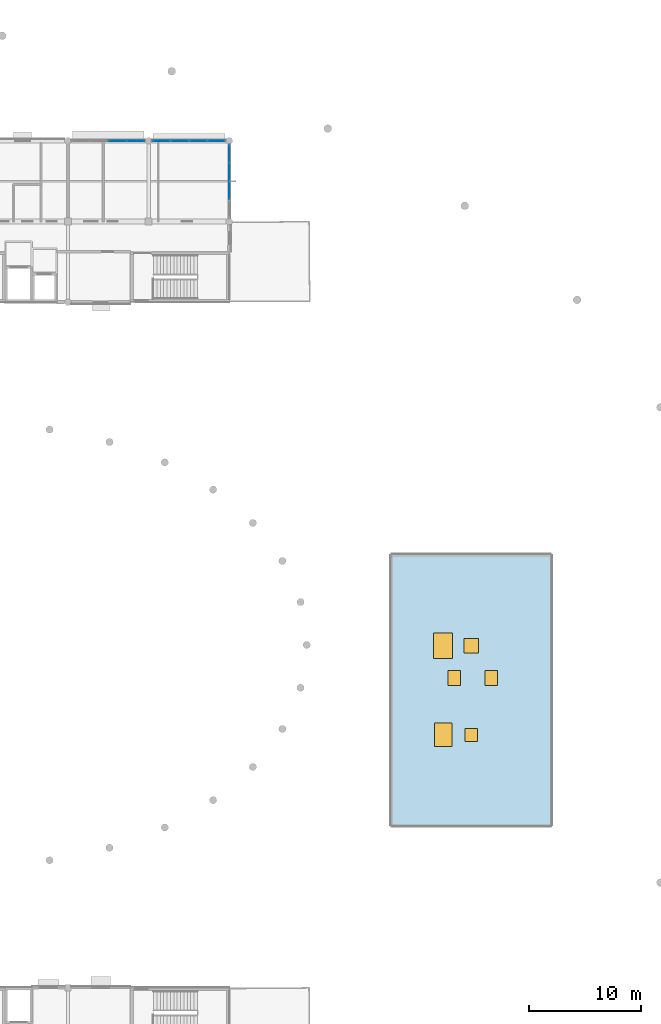
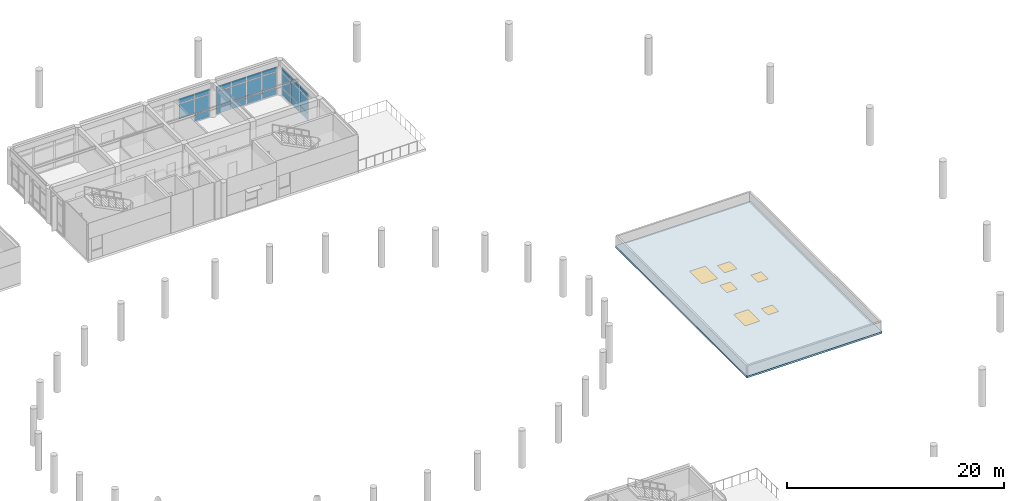
# One storey, part 17 of 41: 26 plates, 4 windows, 2 doors, 1 slab, 6 openings, 3 elements without a shape of their own.
"""IFC4 building model written with IfcOpenShell, lengths in metres."""

from ifc_helpers import new_model, si_unit, direction, frame, origin, origin_2d, place, context, subcontext, project, spatial, polyline, rectangle, outline, extrude, material, layer, layer_set, type_object, element, fill, aggregate, save


model = new_model("IFC4")

# Units and contexts
model_context = context("Model", 3, precision=1e-05, world=origin(), true_north=direction((0.0, 1.0)))
body_context = subcontext(model_context, "Body", "Model", "MODEL_VIEW")
ifc_project = project(units=[si_unit("LENGTHUNIT", "METRE"), si_unit("AREAUNIT", "SQUARE_METRE"), si_unit("VOLUMEUNIT", "CUBIC_METRE"), si_unit("PLANEANGLEUNIT", "RADIAN"), si_unit("MASSUNIT", "GRAM", prefix="KILO")], contexts=[model_context])

# Site, building, storey
site_placement = place(None, origin())
site = spatial("IfcSite", under=ifc_project, at=site_placement, CompositionType="ELEMENT")
building_placement = place(site_placement, origin())
building = spatial("IfcBuilding", under=site, at=building_placement, Name="Namkhue Oval Health Centre", CompositionType="ELEMENT")
storey_placement = place(building_placement, frame((0.0, 0.0, 13.800048828125)))
storey = spatial("IfcBuildingStorey", under=building, at=storey_placement, Name="L03", CompositionType="ELEMENT", Elevation=13.800048828125)

# Curtain wall, plates
ifc_material_1 = material(Name="Anodised aluminium EN AW-6063 T6", Category="aluminium")
ifc_layer_1 = layer(ifc_material_1, 0.159912109375)
ifc_layer_set_1 = layer_set([ifc_layer_1], Name="Anodised aluminium EN AW-6063 T6")
curtain_wall_type_1 = type_object("IfcCurtainWallType", Name="UNITISED CURTAIN WALL M1500", PredefinedType="NOTDEFINED", material=ifc_layer_set_1)
curtain_wall_1_placement = place(storey_placement, origin())
curtain_wall_1 = element("IfcCurtainWall", 1, at=curtain_wall_1_placement, inside=storey, type_object=curtain_wall_type_1, Name="Volume V3 L03 Unitised Curtain Wall 117", PredefinedType="NOTDEFINED")
ifc_material_2 = material(Name="Thermally broken low-E laminated double glazing", Category="glass")
ifc_layer_2 = layer(ifc_material_2, 0.02587890625)
ifc_layer_set_2 = layer_set([ifc_layer_2], Name="Thermally broken low-E laminated double glazing")
plate_type_1 = type_object("IfcPlateType", Name="CURTAIN WALL GLAZED PANEL 26", PredefinedType="CURTAIN_PANEL", material=ifc_layer_set_2)
plate_1_placement = place(storey_placement, frame((122.39990234375, 99.9775390625, 0.06494140625), z_axis=(0.0, 0.0, 1.0), x_axis=(0.0, 1.0, 0.0)))
plate_1 = element("IfcPlate", 2, at=plate_1_placement, type_object=plate_type_1, Name="CW-03 panel 2.1", PredefinedType="CURTAIN_PANEL", context=body_context, shape_type="SweptSolid", body=[
    extrude(rectangle(XDim=1.580078125, YDim=0.02587890625, at=origin_2d()), origin(), (0.0, 0.0, 1.0), 0.802490234375),
])
plate_2_placement = place(storey_placement, frame((122.39990234375, 99.9775390625, 0.9326171875), z_axis=(0.0, 0.0, 1.0), x_axis=(0.0, 1.0, 0.0)))
plate_2 = element("IfcPlate", 3, at=plate_2_placement, type_object=plate_type_1, Name="CW-03 panel 2.2", PredefinedType="CURTAIN_PANEL", context=body_context, shape_type="SweptSolid", body=[
    extrude(rectangle(XDim=1.580078125, YDim=0.02587890625, at=origin_2d()), origin(), (0.0, 0.0, 1.0), 1.655029296875),
])
plate_3_placement = place(storey_placement, frame((122.39990234375, 99.9775390625, 2.65234375), z_axis=(0.0, 0.0, 1.0), x_axis=(0.0, 1.0, 0.0)))
plate_3 = element("IfcPlate", 4, at=plate_3_placement, type_object=plate_type_1, Name="CW-03 panel 2.3", PredefinedType="CURTAIN_PANEL", context=body_context, shape_type="SweptSolid", body=[
    extrude(rectangle(XDim=1.580078125, YDim=0.02587890625, at=origin_2d()), origin(), (0.0, 0.0, 1.0), 0.552490234375),
])
plate_4_placement = place(storey_placement, frame((122.39990234375, 101.62255859375, 0.06494140625), z_axis=(0.0, 0.0, 1.0), x_axis=(0.0, 1.0, 0.0)))
plate_4 = element("IfcPlate", 5, at=plate_4_placement, type_object=plate_type_1, Name="CW-03 panel 3.1", PredefinedType="CURTAIN_PANEL", context=body_context, shape_type="SweptSolid", body=[
    extrude(rectangle(XDim=1.580078125, YDim=0.02587890625, at=origin_2d()), origin(), (0.0, 0.0, 1.0), 0.802490234375),
])
plate_5_placement = place(storey_placement, frame((122.39990234375, 101.62255859375, 0.9326171875), z_axis=(0.0, 0.0, 1.0), x_axis=(0.0, 1.0, 0.0)))
plate_5 = element("IfcPlate", 6, at=plate_5_placement, type_object=plate_type_1, Name="CW-03 panel 3.2", PredefinedType="CURTAIN_PANEL", context=body_context, shape_type="SweptSolid", body=[
    extrude(rectangle(XDim=1.580078125, YDim=0.02587890625, at=origin_2d()), origin(), (0.0, 0.0, 1.0), 1.655029296875),
])
plate_6_placement = place(storey_placement, frame((122.39990234375, 101.62255859375, 2.65234375), z_axis=(0.0, 0.0, 1.0), x_axis=(0.0, 1.0, 0.0)))
plate_6 = element("IfcPlate", 7, at=plate_6_placement, type_object=plate_type_1, Name="CW-03 panel 3.3", PredefinedType="CURTAIN_PANEL", context=body_context, shape_type="SweptSolid", body=[
    extrude(rectangle(XDim=1.580078125, YDim=0.02587890625, at=origin_2d()), origin(), (0.0, 0.0, 1.0), 0.552490234375),
])
plate_7_placement = place(storey_placement, frame((122.39990234375, 103.251220703125, 0.06494140625), z_axis=(0.0, 0.0, 1.0), x_axis=(0.0, 1.0, 0.0)))
plate_7 = element("IfcPlate", 8, at=plate_7_placement, type_object=plate_type_1, Name="CW-03 panel 4.1", PredefinedType="CURTAIN_PANEL", context=body_context, shape_type="SweptSolid", body=[
    extrude(rectangle(XDim=1.547607421875, YDim=0.02587890625, at=origin_2d()), origin(), (0.0, 0.0, 1.0), 0.802490234375),
])
plate_8_placement = place(storey_placement, frame((122.39990234375, 103.251220703125, 0.9326171875), z_axis=(0.0, 0.0, 1.0), x_axis=(0.0, 1.0, 0.0)))
plate_8 = element("IfcPlate", 9, at=plate_8_placement, type_object=plate_type_1, Name="CW-03 panel 4.2", PredefinedType="CURTAIN_PANEL", context=body_context, shape_type="SweptSolid", body=[
    extrude(rectangle(XDim=1.547607421875, YDim=0.02587890625, at=origin_2d()), origin(), (0.0, 0.0, 1.0), 1.655029296875),
])
plate_9_placement = place(storey_placement, frame((122.39990234375, 103.251220703125, 2.65234375), z_axis=(0.0, 0.0, 1.0), x_axis=(0.0, 1.0, 0.0)))
plate_9 = element("IfcPlate", 10, at=plate_9_placement, type_object=plate_type_1, Name="CW-03 panel 4.3", PredefinedType="CURTAIN_PANEL", context=body_context, shape_type="SweptSolid", body=[
    extrude(rectangle(XDim=1.547607421875, YDim=0.02587890625, at=origin_2d()), origin(), (0.0, 0.0, 1.0), 0.552490234375),
])
aggregate(curtain_wall_1, [plate_1, plate_2, plate_3, plate_4, plate_5, plate_6, plate_7, plate_8, plate_9])

ifc_layer_3 = layer(ifc_material_1, 0.159912109375)
ifc_layer_set_3 = layer_set([ifc_layer_3], Name="Anodised aluminium EN AW-6063 T6")
curtain_wall_type_2 = type_object("IfcCurtainWallType", Name="UNITISED CURTAIN WALL M1600", PredefinedType="NOTDEFINED", material=ifc_layer_set_3)
curtain_wall_2_placement = place(storey_placement, origin())
curtain_wall_2 = element("IfcCurtainWall", 11, at=curtain_wall_2_placement, inside=storey, type_object=curtain_wall_type_2, Name="Volume V3 L03 Unitised Curtain Wall 118", PredefinedType="NOTDEFINED")
ifc_layer_4 = layer(ifc_material_2, 0.028076171875)
ifc_layer_set_4 = layer_set([ifc_layer_4], Name="Thermally broken low-E laminated double glazing")
plate_type_2 = type_object("IfcPlateType", Name="CURTAIN WALL GLAZED PANEL 28", PredefinedType="CURTAIN_PANEL", material=ifc_layer_set_4)
plate_10_placement = place(storey_placement, frame((121.248779296875, 104.39990234375, 0.074951171875), z_axis=(0.0, 0.0, 1.0), x_axis=(-1.0, 0.0, 0.0)))
plate_10 = element("IfcPlate", 12, at=plate_10_placement, type_object=plate_type_2, Name="CW-04 panel 1.1", PredefinedType="CURTAIN_PANEL", context=body_context, shape_type="SweptSolid", body=[
    extrude(rectangle(XDim=1.532470703125, YDim=0.028076171875, at=origin_2d()), origin(), (0.0, 0.0, 1.0), 0.78759765625),
])
plate_11_placement = place(storey_placement, frame((121.248779296875, 104.39990234375, 0.9375), z_axis=(0.0, 0.0, 1.0), x_axis=(-1.0, 0.0, 0.0)))
plate_11 = element("IfcPlate", 13, at=plate_11_placement, type_object=plate_type_2, Name="CW-04 panel 1.2", PredefinedType="CURTAIN_PANEL", context=body_context, shape_type="SweptSolid", body=[
    extrude(rectangle(XDim=1.532470703125, YDim=0.028076171875, at=origin_2d()), origin(), (0.0, 0.0, 1.0), 1.64501953125),
])
plate_12_placement = place(storey_placement, frame((121.248779296875, 104.39990234375, 2.657470703125), z_axis=(0.0, 0.0, 1.0), x_axis=(-1.0, 0.0, 0.0)))
plate_12 = element("IfcPlate", 14, at=plate_12_placement, type_object=plate_type_2, Name="CW-04 panel 1.3", PredefinedType="CURTAIN_PANEL", context=body_context, shape_type="SweptSolid", body=[
    extrude(rectangle(XDim=1.532470703125, YDim=0.028076171875, at=origin_2d()), origin(), (0.0, 0.0, 1.0), 0.53759765625),
])
plate_13_placement = place(storey_placement, frame((119.62255859375, 104.39990234375, 0.074951171875), z_axis=(0.0, 0.0, 1.0), x_axis=(-1.0, 0.0, 0.0)))
plate_13 = element("IfcPlate", 15, at=plate_13_placement, type_object=plate_type_2, Name="CW-04 panel 2.1", PredefinedType="CURTAIN_PANEL", context=body_context, shape_type="SweptSolid", body=[
    extrude(rectangle(XDim=1.570068359375, YDim=0.028076171875, at=origin_2d()), origin(), (0.0, 0.0, 1.0), 0.78759765625),
])
plate_14_placement = place(storey_placement, frame((119.62255859375, 104.39990234375, 0.9375), z_axis=(0.0, 0.0, 1.0), x_axis=(-1.0, 0.0, 0.0)))
plate_14 = element("IfcPlate", 16, at=plate_14_placement, type_object=plate_type_2, Name="CW-04 panel 2.2", PredefinedType="CURTAIN_PANEL", context=body_context, shape_type="SweptSolid", body=[
    extrude(rectangle(XDim=1.570068359375, YDim=0.028076171875, at=origin_2d()), origin(), (0.0, 0.0, 1.0), 1.64501953125),
])
plate_15_placement = place(storey_placement, frame((119.62255859375, 104.39990234375, 2.657470703125), z_axis=(0.0, 0.0, 1.0), x_axis=(-1.0, 0.0, 0.0)))
plate_15 = element("IfcPlate", 17, at=plate_15_placement, type_object=plate_type_2, Name="CW-04 panel 2.3", PredefinedType="CURTAIN_PANEL", context=body_context, shape_type="SweptSolid", body=[
    extrude(rectangle(XDim=1.570068359375, YDim=0.028076171875, at=origin_2d()), origin(), (0.0, 0.0, 1.0), 0.53759765625),
])
plate_16_placement = place(storey_placement, frame((117.9775390625, 104.39990234375, 0.074951171875), z_axis=(0.0, 0.0, 1.0), x_axis=(-1.0, 0.0, 0.0)))
plate_16 = element("IfcPlate", 18, at=plate_16_placement, type_object=plate_type_2, Name="CW-04 panel 3.1", PredefinedType="CURTAIN_PANEL", context=body_context, shape_type="SweptSolid", body=[
    extrude(rectangle(XDim=1.570068359375, YDim=0.028076171875, at=origin_2d()), origin(), (0.0, 0.0, 1.0), 0.78759765625),
])
plate_17_placement = place(storey_placement, frame((117.9775390625, 104.39990234375, 0.9375), z_axis=(0.0, 0.0, 1.0), x_axis=(-1.0, 0.0, 0.0)))
plate_17 = element("IfcPlate", 19, at=plate_17_placement, type_object=plate_type_2, Name="CW-04 panel 3.2", PredefinedType="CURTAIN_PANEL", context=body_context, shape_type="SweptSolid", body=[
    extrude(rectangle(XDim=1.570068359375, YDim=0.028076171875, at=origin_2d()), origin(), (0.0, 0.0, 1.0), 1.64501953125),
])
plate_18_placement = place(storey_placement, frame((117.9775390625, 104.39990234375, 2.657470703125), z_axis=(0.0, 0.0, 1.0), x_axis=(-1.0, 0.0, 0.0)))
plate_18 = element("IfcPlate", 20, at=plate_18_placement, type_object=plate_type_2, Name="CW-04 panel 3.3", PredefinedType="CURTAIN_PANEL", context=body_context, shape_type="SweptSolid", body=[
    extrude(rectangle(XDim=1.570068359375, YDim=0.028076171875, at=origin_2d()), origin(), (0.0, 0.0, 1.0), 0.53759765625),
])
plate_19_placement = place(storey_placement, frame((116.351318359375, 104.39990234375, 0.074951171875), z_axis=(0.0, 0.0, 1.0), x_axis=(-1.0, 0.0, 0.0)))
plate_19 = element("IfcPlate", 21, at=plate_19_placement, type_object=plate_type_2, Name="CW-04 panel 4.1", PredefinedType="CURTAIN_PANEL", context=body_context, shape_type="SweptSolid", body=[
    extrude(rectangle(XDim=1.532470703125, YDim=0.028076171875, at=origin_2d()), origin(), (0.0, 0.0, 1.0), 0.78759765625),
])
plate_20_placement = place(storey_placement, frame((116.351318359375, 104.39990234375, 0.9375), z_axis=(0.0, 0.0, 1.0), x_axis=(-1.0, 0.0, 0.0)))
plate_20 = element("IfcPlate", 22, at=plate_20_placement, type_object=plate_type_2, Name="CW-04 panel 4.2", PredefinedType="CURTAIN_PANEL", context=body_context, shape_type="SweptSolid", body=[
    extrude(rectangle(XDim=1.532470703125, YDim=0.028076171875, at=origin_2d()), origin(), (0.0, 0.0, 1.0), 1.64501953125),
])
plate_21_placement = place(storey_placement, frame((116.351318359375, 104.39990234375, 2.657470703125), z_axis=(0.0, 0.0, 1.0), x_axis=(-1.0, 0.0, 0.0)))
plate_21 = element("IfcPlate", 23, at=plate_21_placement, type_object=plate_type_2, Name="CW-04 panel 4.3", PredefinedType="CURTAIN_PANEL", context=body_context, shape_type="SweptSolid", body=[
    extrude(rectangle(XDim=1.532470703125, YDim=0.028076171875, at=origin_2d()), origin(), (0.0, 0.0, 1.0), 0.53759765625),
])
aggregate(curtain_wall_2, [plate_10, plate_11, plate_12, plate_13, plate_14, plate_15, plate_16, plate_17, plate_18, plate_19, plate_20, plate_21])

ifc_layer_5 = layer(ifc_material_1, 0.159912109375)
ifc_layer_set_5 = layer_set([ifc_layer_5], Name="Anodised aluminium EN AW-6063 T6")
curtain_wall_type_3 = type_object("IfcCurtainWallType", Name="UNITISED CURTAIN WALL M1800", PredefinedType="NOTDEFINED", material=ifc_layer_set_5)
curtain_wall_3_placement = place(storey_placement, origin())
curtain_wall_3 = element("IfcCurtainWall", 24, at=curtain_wall_3_placement, inside=storey, type_object=curtain_wall_type_3, Name="Volume V3 L03 Unitised Curtain Wall 119", PredefinedType="NOTDEFINED")
ifc_material_3 = material(Name="Insulated anodised aluminium spandrel panel", Category="aluminium")
ifc_layer_6 = layer(ifc_material_3, 0.031982421875)
ifc_layer_set_6 = layer_set([ifc_layer_6], Name="Insulated anodised aluminium spandrel panel")
plate_type_3 = type_object("IfcPlateType", Name="CURTAIN WALL SPANDREL PANEL 32", PredefinedType="CURTAIN_PANEL", material=ifc_layer_set_6)
plate_22_placement = place(storey_placement, frame((114.05126953125, 104.39990234375, 0.06494140625), z_axis=(0.0, 0.0, 1.0), x_axis=(-1.0, 0.0, 0.0)))
plate_22 = element("IfcPlate", 25, at=plate_22_placement, type_object=plate_type_3, Name="CW-05 panel 1.1", PredefinedType="CURTAIN_PANEL", context=body_context, shape_type="SweptSolid", body=[
    extrude(rectangle(XDim=1.547607421875, YDim=0.031982421875, at=origin_2d()), origin(), (0.0, 0.0, 1.0), 0.802490234375),
])
plate_23_placement = place(storey_placement, frame((114.05126953125, 104.39990234375, 0.9326171875), z_axis=(0.0, 0.0, 1.0), x_axis=(-1.0, 0.0, 0.0)))
plate_23 = element("IfcPlate", 26, at=plate_23_placement, type_object=plate_type_3, Name="CW-05 panel 1.2", PredefinedType="CURTAIN_PANEL", context=body_context, shape_type="SweptSolid", body=[
    extrude(rectangle(XDim=1.547607421875, YDim=0.031982421875, at=origin_2d()), origin(), (0.0, 0.0, 1.0), 1.655029296875),
])
plate_24_placement = place(storey_placement, frame((114.05126953125, 104.39990234375, 2.65234375), z_axis=(0.0, 0.0, 1.0), x_axis=(-1.0, 0.0, 0.0)))
plate_24 = element("IfcPlate", 27, at=plate_24_placement, type_object=plate_type_3, Name="CW-05 panel 1.3", PredefinedType="CURTAIN_PANEL", context=body_context, shape_type="SweptSolid", body=[
    extrude(rectangle(XDim=1.547607421875, YDim=0.031982421875, at=origin_2d()), origin(), (0.0, 0.0, 1.0), 0.552490234375),
])
plate_25_placement = place(storey_placement, frame((112.422607421875, 104.39990234375, 0.9326171875), z_axis=(0.0, 0.0, 1.0), x_axis=(-1.0, 0.0, 0.0)))
plate_25 = element("IfcPlate", 28, at=plate_25_placement, type_object=plate_type_3, Name="CW-05 panel 2.2", PredefinedType="CURTAIN_PANEL", context=body_context, shape_type="SweptSolid", body=[
    extrude(rectangle(XDim=1.580078125, YDim=0.031982421875, at=origin_2d()), origin(), (0.0, 0.0, 1.0), 1.655029296875),
])
plate_26_placement = place(storey_placement, frame((112.422607421875, 104.39990234375, 2.65234375), z_axis=(0.0, 0.0, 1.0), x_axis=(-1.0, 0.0, 0.0)))
plate_26 = element("IfcPlate", 29, at=plate_26_placement, type_object=plate_type_3, Name="CW-05 panel 2.3", PredefinedType="CURTAIN_PANEL", context=body_context, shape_type="SweptSolid", body=[
    extrude(rectangle(XDim=1.580078125, YDim=0.031982421875, at=origin_2d()), origin(), (0.0, 0.0, 1.0), 0.552490234375),
])
aggregate(curtain_wall_3, [plate_22, plate_23, plate_24, plate_25, plate_26])

# Slab, openings, doors, windows
ifc_material_4 = material(Name="Reinforced concrete C30/37 (TCVN B35)", Category="concrete")
ifc_layer_7 = layer(ifc_material_4, 0.205078125)
ifc_layer_set_7 = layer_set([ifc_layer_7], Name="Reinforced concrete C30/37 (TCVN B35)")
slab_type = type_object("IfcSlabType", Name="FLAT ROOF SLAB 205", PredefinedType="ROOF", material=ifc_layer_set_7)
slab_placement = place(storey_placement, origin())
slab = element("IfcSlab", 30, at=slab_placement, inside=storey, type_object=slab_type, Name="Volume V6 L03 Main Roof Slab", PredefinedType="ROOF", context=body_context, shape_type="SweptSolid", body=[
    extrude(outline(polyline([(136.800048828125, 43.199951171875), (151.199951171875, 43.199951171875), (151.199951171875, 67.5), (136.800048828125, 67.5), (136.800048828125, 43.199951171875)])), origin(), (0.0, 0.0, 1.0), 0.204833984375),
])
opening_1_placement = place(slab_placement, frame((142.5, 56.449951171875, 0.0)))
opening_1 = element("IfcOpeningElement", 31, at=opening_1_placement, cuts=slab, Name="Opening HT-02", PredefinedType="OPENING", context=body_context, shape_type="SweptSolid", body=[
    extrude(rectangle(XDim=1.10009765625, YDim=1.300048828125, at=origin_2d()), frame((0.0, 0.0, -0.010009765625)), (0.0, 0.0, 1.0), 0.224853515625),
])
opening_2_placement = place(slab_placement, frame((145.800048828125, 56.449951171875, 0.0)))
opening_2 = element("IfcOpeningElement", 32, at=opening_2_placement, cuts=slab, Name="Opening HT-02", PredefinedType="OPENING", context=body_context, shape_type="SweptSolid", body=[
    extrude(rectangle(XDim=1.10009765625, YDim=1.300048828125, at=origin_2d()), frame((0.0, 0.0, -0.010009765625)), (0.0, 0.0, 1.0), 0.224853515625),
])
opening_3_placement = place(slab_placement, frame((141.5, 51.3701171875, 0.0)))
opening_3 = element("IfcOpeningElement", 33, at=opening_3_placement, cuts=slab, Name="Opening SK-07", PredefinedType="OPENING", context=body_context, shape_type="SweptSolid", body=[
    extrude(rectangle(XDim=1.550048828125, YDim=2.10009765625, at=origin_2d()), frame((0.0, 0.0, -0.010009765625)), (0.0, 0.0, 1.0), 0.224853515625),
])
opening_4_placement = place(slab_placement, frame((141.5, 59.330078125, 0.0)))
opening_4 = element("IfcOpeningElement", 34, at=opening_4_placement, cuts=slab, Name="Opening SK-08", PredefinedType="OPENING", context=body_context, shape_type="SweptSolid", body=[
    extrude(rectangle(XDim=1.699951171875, YDim=2.300048828125, at=origin_2d()), frame((0.0, 0.0, -0.010009765625)), (0.0, 0.0, 1.0), 0.224853515625),
])
opening_5_placement = place(slab_placement, frame((144.0, 51.3701171875, 0.0)))
opening_5 = element("IfcOpeningElement", 35, at=opening_5_placement, cuts=slab, Name="Opening SK-01", PredefinedType="OPENING", context=body_context, shape_type="SweptSolid", body=[
    extrude(rectangle(XDim=1.14990234375, YDim=1.14990234375, at=origin_2d()), frame((0.0, 0.0, -0.010009765625)), (0.0, 0.0, 1.0), 0.224853515625),
])
opening_6_placement = place(slab_placement, frame((144.0, 59.330078125, 0.0)))
opening_6 = element("IfcOpeningElement", 36, at=opening_6_placement, cuts=slab, Name="Opening SK-02", PredefinedType="OPENING", context=body_context, shape_type="SweptSolid", body=[
    extrude(rectangle(XDim=1.300048828125, YDim=1.300048828125, at=origin_2d()), frame((0.0, 0.0, -0.010009765625)), (0.0, 0.0, 1.0), 0.224853515625),
])
ifc_material_5 = material(Name="Insulated aluminium roof access hatch", Category="aluminium")
door_type = type_object("IfcDoorType", Name="ROOF ACCESS TRAPDOOR 1100X1300", OperationType="SINGLE_SWING_LEFT", PredefinedType="TRAPDOOR", material=ifc_material_5)
door_1_placement = place(opening_1_placement, frame((0.0, 0.0, 0.15478515625)))
door_1 = element("IfcDoor", 37, at=door_1_placement, inside=storey, type_object=door_type, Name="Volume V6 Roof Maintenance Hatch 1", OperationType="SINGLE_SWING_LEFT", OverallHeight=1.300048828125, OverallWidth=1.10009765625, PredefinedType="TRAPDOOR", context=body_context, shape_type="SweptSolid", body=[
    extrude(rectangle(XDim=1.10009765625, YDim=1.300048828125, at=origin_2d()), origin(), (0.0, 0.0, 1.0), 0.050048828125),
])
fill(opening_1, door_1)
door_2_placement = place(opening_2_placement, frame((0.0, 0.0, 0.15478515625)))
door_2 = element("IfcDoor", 38, at=door_2_placement, inside=storey, type_object=door_type, Name="Volume V6 Roof Maintenance Hatch 2", OperationType="SINGLE_SWING_LEFT", OverallHeight=1.300048828125, OverallWidth=1.10009765625, PredefinedType="TRAPDOOR", context=body_context, shape_type="SweptSolid", body=[
    extrude(rectangle(XDim=1.10009765625, YDim=1.300048828125, at=origin_2d()), origin(), (0.0, 0.0, 1.0), 0.050048828125),
])
fill(opening_2, door_2)
ifc_material_6 = material(Name="Laminated solar-control double-glazed skylight", Category="glass")
window_type_1 = type_object("IfcWindowType", Name="ROOF SKYLIGHT 1150X1150", PartitioningType="SINGLE_PANEL", PredefinedType="SKYLIGHT", material=ifc_material_6)
window_1_placement = place(opening_5_placement, frame((0.0, 0.0, 0.15478515625)))
window_1 = element("IfcWindow", 39, at=window_1_placement, inside=storey, type_object=window_type_1, Name="Volume V6 L03 Roof Skylight 3", OverallHeight=1.14990234375, OverallWidth=1.14990234375, PartitioningType="SINGLE_PANEL", PredefinedType="SKYLIGHT", context=body_context, shape_type="SweptSolid", body=[
    extrude(rectangle(XDim=1.14990234375, YDim=1.14990234375, at=origin_2d()), origin(), (0.0, 0.0, 1.0), 0.050048828125),
])
fill(opening_5, window_1)
window_type_2 = type_object("IfcWindowType", Name="ROOF SKYLIGHT 1300X1300", PartitioningType="SINGLE_PANEL", PredefinedType="SKYLIGHT", material=ifc_material_6)
window_2_placement = place(opening_6_placement, frame((0.0, 0.0, 0.15478515625)))
window_2 = element("IfcWindow", 40, at=window_2_placement, inside=storey, type_object=window_type_2, Name="Volume V6 L03 Roof Skylight 4", OverallHeight=1.300048828125, OverallWidth=1.300048828125, PartitioningType="SINGLE_PANEL", PredefinedType="SKYLIGHT", context=body_context, shape_type="SweptSolid", body=[
    extrude(rectangle(XDim=1.300048828125, YDim=1.300048828125, at=origin_2d()), origin(), (0.0, 0.0, 1.0), 0.050048828125),
])
fill(opening_6, window_2)
window_type_3 = type_object("IfcWindowType", Name="ROOF SKYLIGHT 1550X2100", PartitioningType="SINGLE_PANEL", PredefinedType="SKYLIGHT", material=ifc_material_6)
window_3_placement = place(opening_3_placement, frame((0.0, 0.0, 0.15478515625)))
window_3 = element("IfcWindow", 41, at=window_3_placement, inside=storey, type_object=window_type_3, Name="Volume V6 L03 Roof Skylight 1", OverallHeight=2.10009765625, OverallWidth=1.550048828125, PartitioningType="SINGLE_PANEL", PredefinedType="SKYLIGHT", context=body_context, shape_type="SweptSolid", body=[
    extrude(rectangle(XDim=1.550048828125, YDim=2.10009765625, at=origin_2d()), origin(), (0.0, 0.0, 1.0), 0.050048828125),
])
fill(opening_3, window_3)
window_type_4 = type_object("IfcWindowType", Name="ROOF SKYLIGHT 1700X2300", PartitioningType="SINGLE_PANEL", PredefinedType="SKYLIGHT", material=ifc_material_6)
window_4_placement = place(opening_4_placement, frame((0.0, 0.0, 0.15478515625)))
window_4 = element("IfcWindow", 42, at=window_4_placement, inside=storey, type_object=window_type_4, Name="Volume V6 L03 Roof Skylight 2", OverallHeight=2.300048828125, OverallWidth=1.699951171875, PartitioningType="SINGLE_PANEL", PredefinedType="SKYLIGHT", context=body_context, shape_type="SweptSolid", body=[
    extrude(rectangle(XDim=1.699951171875, YDim=2.300048828125, at=origin_2d()), origin(), (0.0, 0.0, 1.0), 0.050048828125),
])
fill(opening_4, window_4)

save(model, "model.ifc")
